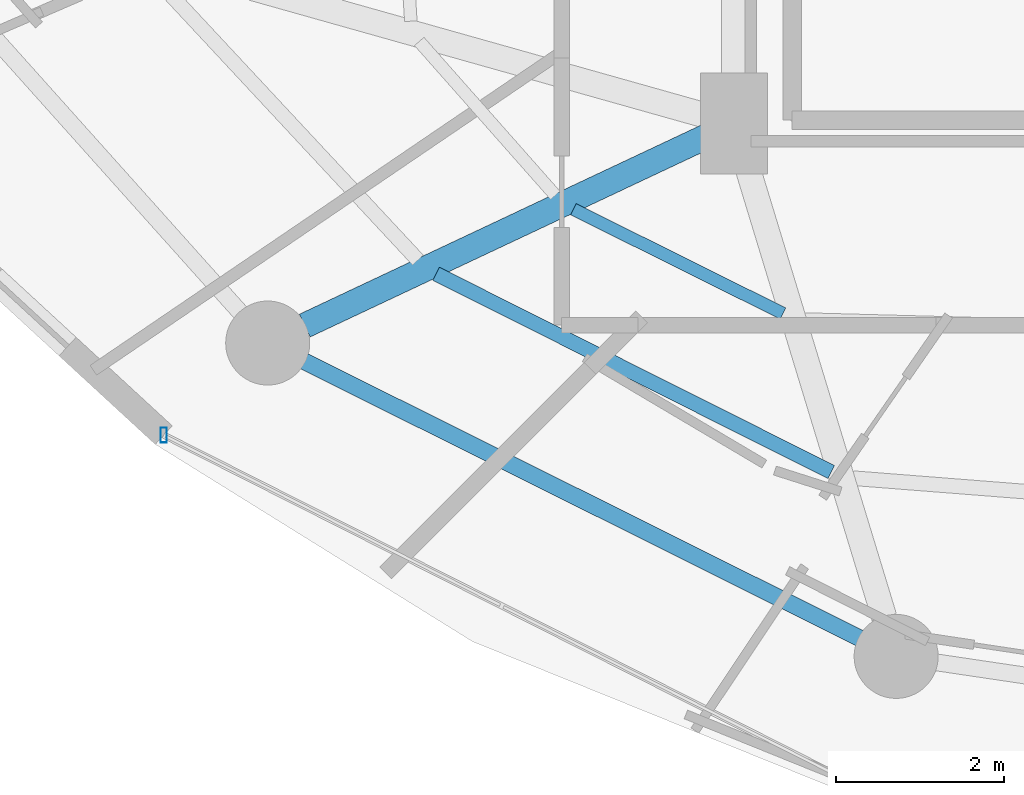
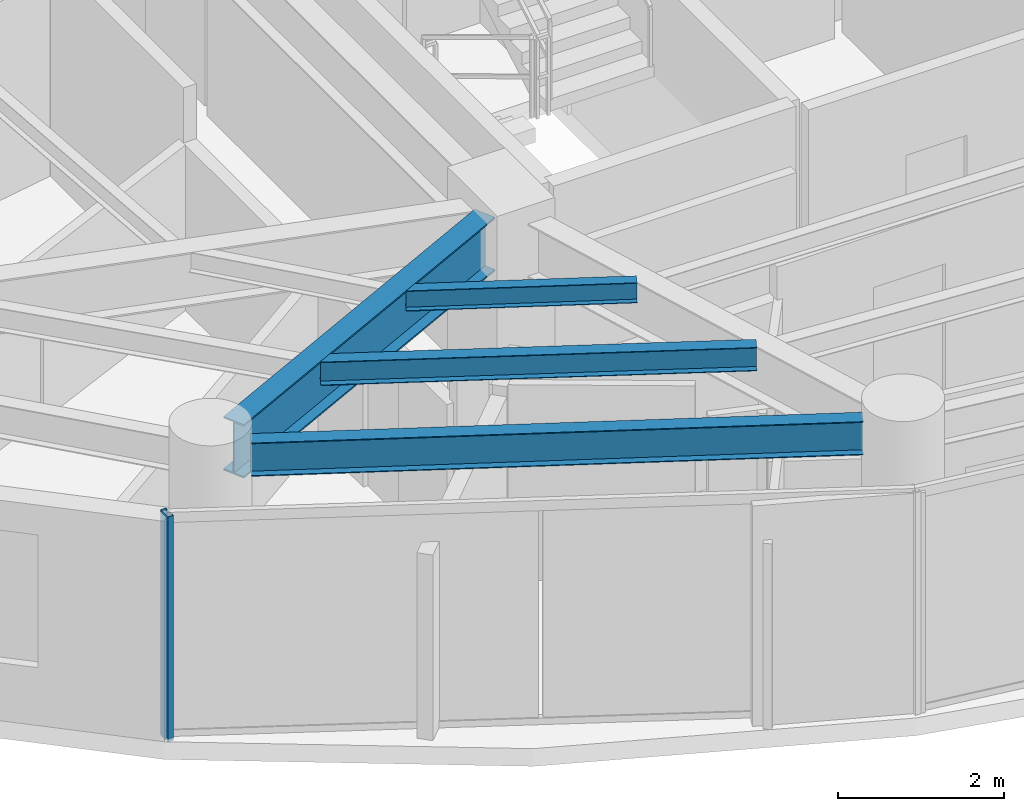
# One storey, part 2 of 31: 4 beams, 1 member, 1 element without a shape of its own.
"""IFC4 building model written with IfcOpenShell, lengths in metres."""

from ifc_helpers import new_model, si_unit, direction, frame, origin, origin_2d, place, context, subcontext, project, spatial, hollow_rectangle, i_section, extrude, material, material_profile, profile_set, type_object, element, aggregate, save


model = new_model("IFC4")

# Units and contexts
model_context = context("Model", 3, precision=1e-05, world=origin(), true_north=direction((0.0, 1.0)))
body_context = subcontext(model_context, "Body", "Model", "MODEL_VIEW")
ifc_project = project(units=[si_unit("LENGTHUNIT", "METRE"), si_unit("AREAUNIT", "SQUARE_METRE"), si_unit("VOLUMEUNIT", "CUBIC_METRE"), si_unit("PLANEANGLEUNIT", "RADIAN"), si_unit("MASSUNIT", "GRAM", prefix="KILO")], contexts=[model_context])

# Site, building, storey
site_placement = place(None, origin())
site = spatial("IfcSite", under=ifc_project, at=site_placement, CompositionType="ELEMENT")
building_placement = place(site_placement, origin())
building = spatial("IfcBuilding", under=site, at=building_placement, Name="Vorneva Point Tower", CompositionType="ELEMENT")
storey_placement = place(building_placement, frame((0.0, 0.0, 129.10009765625)))
storey = spatial("IfcBuildingStorey", under=building, at=storey_placement, Name="L34", CompositionType="ELEMENT", Elevation=129.10009765625)

# Beams
ifc_material_1 = material(Name="Steel S355", Category="steel")
ifc_material_profile_1 = material_profile(ifc_material_1, i_section(OverallWidth=0.300048828125, OverallDepth=0.7880859375, WebThickness=0.014404296875, FlangeThickness=0.02197265625, at=origin_2d()), Name="80Sh1")
ifc_profile_set_1 = profile_set([ifc_material_profile_1], Name="Steel S355")
beam_type_1 = type_object("IfcBeamType", Name="BM-GRD-80Sh1", PredefinedType="USERDEFINED", material=ifc_profile_set_1)
beam_1_placement = place(storey_placement, frame((22.142578125, 14.045654296875, 2.845947265625), z_axis=(0.904761331435, 0.425918927896, 0.0), x_axis=(-0.425918927896, 0.904761331435, 0.0)))
element("IfcBeam", 1, at=beam_1_placement, inside=storey, type_object=beam_type_1, Name="L34 Radial Primary Girder 11", ObjectType="GIRDER", PredefinedType="USERDEFINED", context=body_context, shape_type="SweptSolid", body=[
    extrude(i_section(OverallWidth=0.300048828125, OverallDepth=0.7880859375, WebThickness=0.014404296875, FlangeThickness=0.02197265625, at=origin_2d()), origin(), (0.0, 0.0, 1.0), 5.304931640625),
])
ifc_material_profile_2 = material_profile(ifc_material_1, i_section(OverallWidth=0.14892578125, OverallDepth=0.298095703125, WebThickness=0.005615234375, FlangeThickness=0.008056640625, at=origin_2d()), Name="30B1")
ifc_profile_set_2 = profile_set([ifc_material_profile_2], Name="Steel S355")
beam_type_2 = type_object("IfcBeamType", Name="BM-JST-30B1", PredefinedType="JOIST", material=ifc_profile_set_2)
beam_2_placement = place(storey_placement, frame((25.338134765625, 15.430419921875, 3.0908203125), z_axis=(0.895266564534, -0.445530895031, 0.0), x_axis=(0.445530895031, 0.895266564534, 0.0)))
element("IfcBeam", 2, at=beam_2_placement, inside=storey, type_object=beam_type_2, Name="L34 Secondary Floor Beam 2.11", PredefinedType="JOIST", context=body_context, shape_type="SweptSolid", body=[
    extrude(i_section(OverallWidth=0.14892578125, OverallDepth=0.298095703125, WebThickness=0.005615234375, FlangeThickness=0.008056640625, at=origin_2d()), origin(), (0.0, 0.0, 1.0), 2.787109375),
])
ifc_material_profile_3 = material_profile(ifc_material_1, i_section(OverallWidth=0.174072265625, OverallDepth=0.345947265625, WebThickness=0.006103515625, FlangeThickness=0.009033203125, at=origin_2d()), Name="35B1")
ifc_profile_set_3 = profile_set([ifc_material_profile_3], Name="Steel S355")
beam_type_3 = type_object("IfcBeamType", Name="BM-SEC-35B1", PredefinedType="BEAM", material=ifc_profile_set_3)
beam_3_placement = place(storey_placement, frame((23.7060546875, 14.66162109375, 3.06689453125), z_axis=(0.893776430112, -0.44851275676, 0.0), x_axis=(0.44851275676, 0.893776430112, 0.0)))
element("IfcBeam", 3, at=beam_3_placement, inside=storey, type_object=beam_type_3, Name="L34 Secondary Floor Beam 1.11", PredefinedType="BEAM", context=body_context, shape_type="SweptSolid", body=[
    extrude(i_section(OverallWidth=0.174072265625, OverallDepth=0.345947265625, WebThickness=0.006103515625, FlangeThickness=0.009033203125, at=origin_2d()), origin(), (0.0, 0.0, 1.0), 5.260009765625),
])
ifc_material_profile_4 = material_profile(ifc_material_1, i_section(OverallWidth=0.199951171875, OverallDepth=0.491943359375, WebThickness=0.0087890625, FlangeThickness=0.011962890625, at=origin_2d()), Name="50B1")
ifc_profile_set_4 = profile_set([ifc_material_profile_4], Name="Steel S355")
beam_type_4 = type_object("IfcBeamType", Name="BM-SPN-50B1", PredefinedType="SPANDREL", material=ifc_profile_set_4)
beam_4_placement = place(storey_placement, frame((22.13525390625, 13.621337890625, 2.993896484375), z_axis=(0.894929061397, -0.446208443518, 0.0), x_axis=(0.446208443518, 0.894929061397, 0.0)))
element("IfcBeam", 4, at=beam_4_placement, inside=storey, type_object=beam_type_4, Name="L34 Perimeter Spandrel Ring Beam 11", PredefinedType="SPANDREL", context=body_context, shape_type="SweptSolid", body=[
    extrude(i_section(OverallWidth=0.199951171875, OverallDepth=0.491943359375, WebThickness=0.0087890625, FlangeThickness=0.011962890625, at=origin_2d()), origin(), (0.0, 0.0, 1.0), 7.385986328125),
])

# Curtain wall, member
ifc_material_2 = material(Name="Pale anodised aluminium", Category="aluminium")
curtain_wall_type = type_object("IfcCurtainWallType", Name="CW-RES-SYS", PredefinedType="NOTDEFINED", material=ifc_material_2)
curtain_wall_placement = place(storey_placement, origin())
curtain_wall = element("IfcCurtainWall", 5, at=curtain_wall_placement, inside=storey, type_object=curtain_wall_type, Name="L34 Unitised Curtain Wall CW-L34-R04", PredefinedType="NOTDEFINED")
ifc_material_profile_5 = material_profile(ifc_material_2, hollow_rectangle(XDim=0.074951171875, YDim=0.179931640625, WallThickness=0.00390625, at=origin_2d()), Name="AL-MUL 180x75x4")
ifc_profile_set_5 = profile_set([ifc_material_profile_5], Name="Pale anodised aluminium")
member_type = type_object("IfcMemberType", Name="CW-MUL-180", PredefinedType="MULLION", material=ifc_profile_set_5)
member_placement = place(storey_placement, frame((20.4638671875, 12.74169921875, -0.0400390625), z_axis=(0.0, 0.0, 1.0), x_axis=(1.0, 0.0, 0.0)))
member = element("IfcMember", 6, at=member_placement, type_object=member_type, Name="CW-L34-R04 Mullion 01", PredefinedType="MULLION", context=body_context, shape_type="SweptSolid", body=[
    extrude(hollow_rectangle(XDim=0.074951171875, YDim=0.179931640625, WallThickness=0.00390625, at=origin_2d()), origin(), (0.0, 0.0, 1.0), 3.31005859375),
])
aggregate(curtain_wall, [member])

save(model, "model.ifc")
